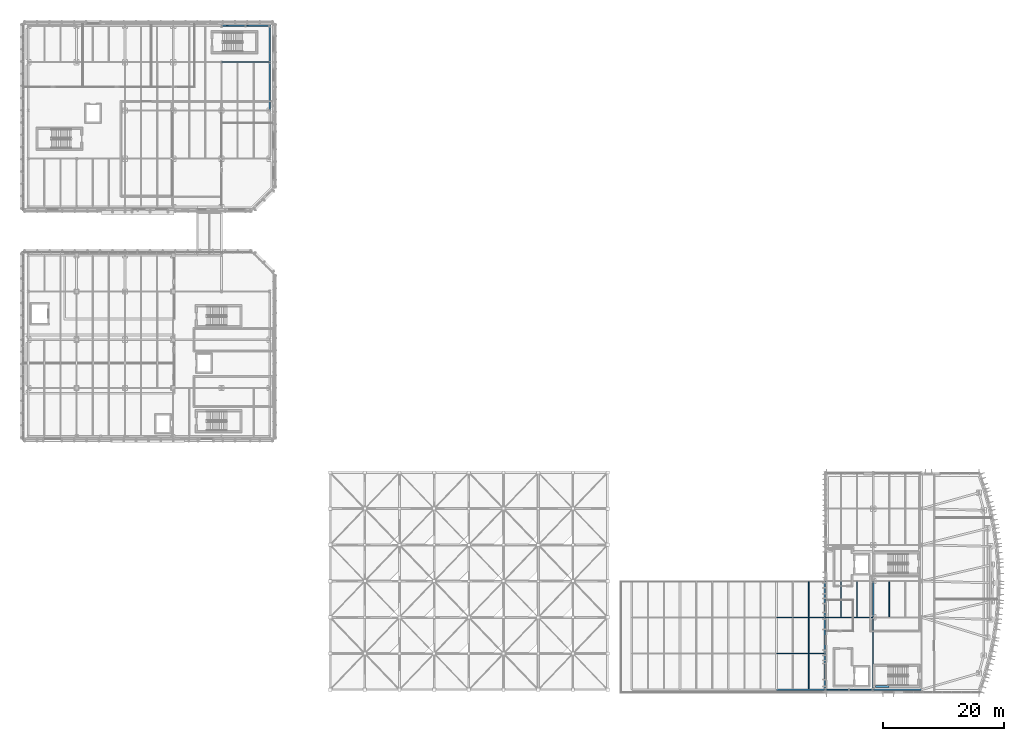
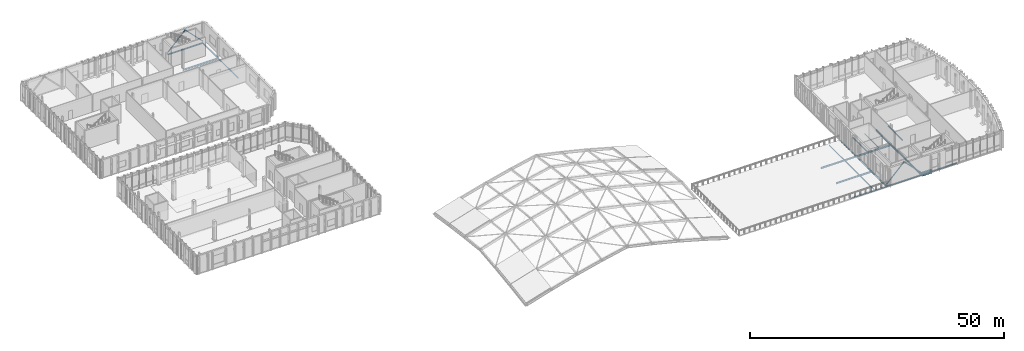
# One storey, part 24 of 62: 22 beams, 4 members.
"""IFC4 building model written with IfcOpenShell, lengths in metres."""

import ifcopenshell
import ifcopenshell.guid

model = None  # the IFC model being written
_history = None  # IfcOwnerHistory: only IFC2X3 demands one
_inside = {}  # id of a spatial element -> (the spatial element, [elements in it])
_under = {}  # id of a project, library or spatial element -> (it, [spatial elements below it])
_declared = {}  # id of a project -> (the project, [libraries it declares])
_typed = {}  # id of a type object -> (the type object, [elements of that type])
_made_of = {}  # id of a material, layer set ... -> (it, [elements and type objects made of it])


def new_model(schema):
    """Start an empty IFC model of exactly this schema.

    Asked for "IFC4X3", IfcOpenShell would pick the latest addendum, in which some entities
    have other attributes; the version numbers below select the first issue.
    IFC2X3 requires an IfcOwnerHistory on every rooted entity: one is made here for all.
    """
    global model, _history
    if schema == "IFC4X3":
        model = ifcopenshell.file(schema_version=(4, 3, 0, 0))
    else:
        model = ifcopenshell.file(schema=schema)
    _inside.clear()
    _under.clear()
    _declared.clear()
    _typed.clear()
    _made_of.clear()
    _history = None
    if model.schema == "IFC2X3":
        org = make("IfcOrganization", Name="unknown")
        user = make(
            "IfcPersonAndOrganization",
            ThePerson=make("IfcPerson", FamilyName="unknown"),
            TheOrganization=org,
        )
        app = make(
            "IfcApplication",
            ApplicationDeveloper=org,
            Version="unknown",
            ApplicationFullName="unknown",
            ApplicationIdentifier="unknown",
        )
        _history = make(
            "IfcOwnerHistory",
            OwningUser=user,
            OwningApplication=app,
            ChangeAction="ADDED",
            CreationDate=0,
        )
    return model


def make(cls, **values):
    """One entity of the class cls with the attributes given. An attribute that is None is left unset."""
    return model.create_entity(
        cls, **{name: value for name, value in values.items() if value is not None}
    )


def rooted(cls, **values):
    """An entity with a GlobalId (a new one), such as an element, a storey or a relation."""
    return make(cls, GlobalId=ifcopenshell.guid.new(), OwnerHistory=_history, **values)


def si_unit(unit_type, name, prefix=None):
    """IfcSIUnit, for example si_unit("LENGTHUNIT", "METRE", prefix="MILLI")."""
    return make("IfcSIUnit", UnitType=unit_type, Prefix=prefix, Name=name)


def assignment(units):
    """IfcUnitAssignment: the units of a project."""
    return None if units is None else make("IfcUnitAssignment", Units=units)


def point(xyz):
    """IfcCartesianPoint."""
    return None if xyz is None else make("IfcCartesianPoint", Coordinates=xyz)


def direction(xyz):
    """IfcDirection."""
    return None if xyz is None else make("IfcDirection", DirectionRatios=xyz)


def frame(location, z_axis=None, x_axis=None):
    """IfcAxis2Placement3D, a coordinate frame: its origin and axes. An axis left out is left unset."""
    return make(
        "IfcAxis2Placement3D",
        Location=point(location),
        Axis=direction(z_axis),
        RefDirection=direction(x_axis),
    )


def frame_2d(location, x_axis=None):
    """IfcAxis2Placement2D, a coordinate frame in the plane: its origin and x axis."""
    return make(
        "IfcAxis2Placement2D", Location=point(location), RefDirection=direction(x_axis)
    )


def origin():
    """The frame at (0, 0, 0) with its axes left unset."""
    return frame((0.0, 0.0, 0.0))


def origin_2d():
    """The frame at (0, 0) in the plane with its x axis left unset."""
    return frame_2d((0.0, 0.0))


def place(relative_to, where):
    """IfcLocalPlacement: puts the frame where relative to a parent placement (None: the world)."""
    return make(
        "IfcLocalPlacement", PlacementRelTo=relative_to, RelativePlacement=where
    )


def context(
    kind, dimensions, precision=None, world=None, true_north=None, identifier=None
):
    """IfcGeometricRepresentationContext, for example the 3D "Model" context."""
    return make(
        "IfcGeometricRepresentationContext",
        ContextIdentifier=identifier,
        ContextType=kind,
        CoordinateSpaceDimension=dimensions,
        Precision=precision,
        WorldCoordinateSystem=world,
        TrueNorth=true_north,
    )


def subcontext(parent, identifier, kind, view, scale=None):
    """IfcGeometricRepresentationSubContext, for example "Body" below "Model"."""
    return make(
        "IfcGeometricRepresentationSubContext",
        ContextIdentifier=identifier,
        ContextType=kind,
        ParentContext=parent,
        TargetScale=scale,
        TargetView=view,
    )


def project(units=None, contexts=None):
    """IfcProject with its units and contexts."""
    return rooted(
        "IfcProject",
        Name="project",
        RepresentationContexts=contexts,
        UnitsInContext=assignment(units),
    )


def spatial(cls, under=None, at=None, **own):
    """A site, building, storey or space (cls), placed at a placement, below another one or the project."""
    s = rooted(cls, ObjectPlacement=at, **own)
    if under is not None:
        _under.setdefault(under.id(), (under, []))[1].append(s)
    return s


def profile(cls, at=None, kind="AREA", **sizes):
    """A parametric profile (cls). Its sizes go by their IFC names, for example OverallWidth=200.0."""
    return make(cls, ProfileType=kind, Position=at, **sizes)


def rectangle(**sizes):
    """IfcRectangleProfileDef."""
    return profile("IfcRectangleProfileDef", **sizes)


def hollow_rectangle(**sizes):
    """IfcRectangleHollowProfileDef."""
    return profile("IfcRectangleHollowProfileDef", **sizes)


def hollow_circle(**sizes):
    """IfcCircleHollowProfileDef."""
    return profile("IfcCircleHollowProfileDef", **sizes)


def i_section(**sizes):
    """IfcIShapeProfileDef."""
    return profile("IfcIShapeProfileDef", **sizes)


def extrude(swept, where, along, depth):
    """IfcExtrudedAreaSolid: the profile swept, set in the frame where, extruded along a direction by depth."""
    return make(
        "IfcExtrudedAreaSolid",
        SweptArea=swept,
        Position=where,
        ExtrudedDirection=direction(along),
        Depth=depth,
    )


def shape(context_of_items, identifier, shape_type, items):
    """IfcShapeRepresentation: the items that make up one representation, for example the "Body"."""
    return make(
        "IfcShapeRepresentation",
        ContextOfItems=context_of_items,
        RepresentationIdentifier=identifier,
        RepresentationType=shape_type,
        Items=items,
    )


def material(Name=None, Category=None):
    """IfcMaterial."""
    return make("IfcMaterial", Name=Name, Category=Category)


def material_profile(
    of_material, cross_section, Name=None, Category=None, Priority=None
):
    """IfcMaterialProfile: a cross section and its material."""
    return make(
        "IfcMaterialProfile",
        Name=Name,
        Material=of_material,
        Profile=cross_section,
        Priority=Priority,
        Category=Category,
    )


def profile_set(profiles, Name=None, composite=None):
    """IfcMaterialProfileSet."""
    return make(
        "IfcMaterialProfileSet",
        Name=Name,
        MaterialProfiles=profiles,
        CompositeProfile=composite,
    )


def made_of(thing, what):
    """Note that an element or type object is made of a material, layer set ...; save() writes the relation."""
    if what is not None:
        _made_of.setdefault(what.id(), (what, []))[1].append(thing)
    return thing


def type_object(cls, material=None, **own):
    """A type object (cls), such as IfcWallType, which elements share."""
    return made_of(rooted(cls, **own), material)


def element(
    cls,
    number,
    at=None,
    inside=None,
    cuts=None,
    type_object=None,
    material=None,
    context=None,
    identifier="Body",
    shape_type=None,
    held_by="IfcProductDefinitionShape",
    body=None,
    shapes=None,
    **own,
):
    """One element of the class cls, such as IfcWall. Its Tag is "e" and its number.

    at: its placement. inside: the storey or other place that contains it. cuts: it is an
    opening in that element (IfcRelVoidsElement). A single representation is given by context,
    identifier, shape_type and body (its items); several are given by shapes. held_by: the class
    of the entity that holds the representations. save() writes the other relations.
    """
    e = rooted(cls, Tag="e%d" % number, ObjectPlacement=at, **own)
    if body is not None:
        shapes = [shape(context, identifier, shape_type, body)]
    if shapes is not None:
        e.Representation = make(held_by, Representations=shapes)
    if inside is not None:
        _inside.setdefault(inside.id(), (inside, []))[1].append(e)
    if cuts is not None:
        rooted(
            "IfcRelVoidsElement", RelatingBuildingElement=cuts, RelatedOpeningElement=e
        )
    if type_object is not None:
        _typed.setdefault(type_object.id(), (type_object, []))[1].append(e)
    return made_of(e, material)


def aggregate(whole, parts):
    """IfcRelAggregates: a whole, such as a stair, and the parts it consists of."""
    return rooted("IfcRelAggregates", RelatingObject=whole, RelatedObjects=parts)


def save(model, path):
    """Write the relations noted so far, then the file.

    IfcRelAggregates (storeys below a building ...), IfcRelContainedInSpatialStructure (elements
    in a storey), IfcRelDefinesByType, IfcRelAssociatesMaterial and IfcRelDeclares: one each for
    every whole, place, type object, material and project.
    """
    for whole, parts in _under.values():
        aggregate(whole, parts)
    for where, things in _inside.values():
        rooted(
            "IfcRelContainedInSpatialStructure",
            RelatedElements=things,
            RelatingStructure=where,
        )
    for kind, things in _typed.values():
        rooted("IfcRelDefinesByType", RelatedObjects=things, RelatingType=kind)
    for what, things in _made_of.values():
        rooted("IfcRelAssociatesMaterial", RelatedObjects=things, RelatingMaterial=what)
    for by, libraries in _declared.values():
        rooted("IfcRelDeclares", RelatingContext=by, RelatedDefinitions=libraries)
    model.write(path)


model = new_model("IFC4")

# Units and contexts
model_context = context("Model", 3, precision=1e-05, world=origin(), true_north=direction((0.0, 1.0)))
body_context = subcontext(model_context, "Body", "Model", "MODEL_VIEW")
ifc_project = project(units=[si_unit("LENGTHUNIT", "METRE"), si_unit("AREAUNIT", "SQUARE_METRE"), si_unit("VOLUMEUNIT", "CUBIC_METRE"), si_unit("PLANEANGLEUNIT", "RADIAN"), si_unit("MASSUNIT", "GRAM", prefix="KILO")], contexts=[model_context])

# Site, building, storey
site_placement = place(None, origin())
site = spatial("IfcSite", under=ifc_project, at=site_placement, CompositionType="ELEMENT")
building_placement = place(site_placement, origin())
building = spatial("IfcBuilding", under=site, at=building_placement, Name="Cymarion Research Institute", CompositionType="ELEMENT")
storey_placement = place(building_placement, frame((0.0, 0.0, 18.300048828125)))
storey = spatial("IfcBuildingStorey", under=building, at=storey_placement, Name="L04", CompositionType="ELEMENT", Elevation=18.300048828125)

# Beams
ifc_material_1 = material(Name="Concrete C40/50", Category="concrete")
ifc_material_profile_1 = material_profile(ifc_material_1, rectangle(XDim=0.35009765625, YDim=0.85009765625, at=origin_2d()), Name="RC 350x850")
ifc_profile_set_1 = profile_set([ifc_material_profile_1], Name="Concrete C40/50")
beam_type_1 = type_object("IfcBeamType", Name="COUPLING LINTEL LN02 RC 350x850", PredefinedType="LINTEL", material=ifc_profile_set_1)
beam_1_placement = place(storey_placement, frame((147.0, 6.050048828125, -0.695068359375), z_axis=(1.0, 0.0, 0.0), x_axis=(0.0, 1.0, 0.0)))
element("IfcBeam", 1, at=beam_1_placement, inside=storey, type_object=beam_type_1, Name="L04 C1 core coupling lintel LN02", PredefinedType="LINTEL", context=body_context, shape_type="SweptSolid", body=[
    extrude(rectangle(XDim=0.35009765625, YDim=0.85009765625, at=origin_2d()), origin(), (0.0, 0.0, 1.0), 2.199951171875),
])
ifc_material_2 = material(Name="Steel S355", Category="steel")
ifc_material_profile_2 = material_profile(ifc_material_2, i_section(OverallWidth=0.179931640625, OverallDepth=0.39990234375, WebThickness=0.008544921875, FlangeThickness=0.013427734375, FilletRadius=0.02099609375, at=origin_2d()), Name="IPE 400")
ifc_profile_set_2 = profile_set([ifc_material_profile_2], Name="Steel S355")
beam_type_2 = type_object("IfcBeamType", Name="PRIMARY GIRDER BM05 IPE 400", PredefinedType="BEAM", material=ifc_profile_set_2)
for number, where, z_axis, x_axis, name in (
    (2, (130.60595703125, 11.5, -0.4599609375), (1.0, 0.0, 0.0), (0.0, 1.0, 0.0), "L04 V1 girder BM05 #1601"),
    (3, (130.60595703125, 17.5, -0.4599609375), (1.0, 0.0, 0.0), (0.0, 1.0, 0.0), "L04 V1 girder BM05 #1605"),
    (4, (138.60595703125, 17.5, -0.449951171875), (1.0, 0.0, 0.0), (0.0, 1.0, 0.0), "L04 V1 girder BM05 #1606"),
):
    element("IfcBeam", number, at=place(storey_placement, frame(where, z_axis=z_axis, x_axis=x_axis)), inside=storey, type_object=beam_type_2, Name=name, PredefinedType="BEAM", context=body_context, shape_type="SweptSolid", body=[
        extrude(i_section(OverallWidth=0.179931640625, OverallDepth=0.39990234375, WebThickness=0.008544921875, FlangeThickness=0.013427734375, FilletRadius=0.02099609375, at=origin_2d()), origin(), (0.0, 0.0, 1.0), 7.988037109375),
    ])
beam_2_placement = place(storey_placement, frame((146.60009765625, 5.506103515625, -0.449951171875), z_axis=(0.0, 1.0, 0.0), x_axis=(-1.0, 0.0, 0.0)))
element("IfcBeam", 5, at=beam_2_placement, inside=storey, type_object=beam_type_2, Name="L04 V1 girder BM05 #1638", PredefinedType="BEAM", context=body_context, shape_type="SweptSolid", body=[
    extrude(i_section(OverallWidth=0.179931640625, OverallDepth=0.39990234375, WebThickness=0.008544921875, FlangeThickness=0.013427734375, FilletRadius=0.02099609375, at=origin_2d()), origin(), (0.0, 0.0, 1.0), 11.98779296875),
])
beam_3_placement = place(storey_placement, frame((38.60595703125, 109.5, -0.449951171875), z_axis=(1.0, 0.0, 0.0), x_axis=(0.0, 1.0, 0.0)))
element("IfcBeam", 6, at=beam_3_placement, inside=storey, type_object=beam_type_2, Name="L04 V5 girder BM05 #1791", PredefinedType="BEAM", context=body_context, shape_type="SweptSolid", body=[
    extrude(i_section(OverallWidth=0.179931640625, OverallDepth=0.39990234375, WebThickness=0.008544921875, FlangeThickness=0.013427734375, FilletRadius=0.02099609375, at=origin_2d()), origin(), (0.0, 0.0, 1.0), 7.988037109375),
])
ifc_material_profile_3 = material_profile(ifc_material_2, i_section(OverallWidth=0.300048828125, OverallDepth=0.35009765625, WebThickness=0.010009765625, FlangeThickness=0.017578125, FilletRadius=0.027099609375, at=origin_2d()), Name="HEA 360")
ifc_profile_set_3 = profile_set([ifc_material_profile_3], Name="Steel S355")
beam_type_3 = type_object("IfcBeamType", Name="PRIMARY GIRDER BM12 HEA 360", PredefinedType="BEAM", material=ifc_profile_set_3)
beam_4_placement = place(storey_placement, frame((146.60009765625, 17.506103515625, -0.425048828125), z_axis=(0.0, 1.0, 0.0), x_axis=(-1.0, 0.0, 0.0)))
element("IfcBeam", 7, at=beam_4_placement, inside=storey, type_object=beam_type_3, Name="L04 V1 girder BM12 #1639", PredefinedType="BEAM", context=body_context, shape_type="SweptSolid", body=[
    extrude(i_section(OverallWidth=0.300048828125, OverallDepth=0.35009765625, WebThickness=0.010009765625, FlangeThickness=0.017578125, FilletRadius=0.027099609375, at=origin_2d()), origin(), (0.0, 0.0, 1.0), 5.98779296875),
])
ifc_material_profile_4 = material_profile(ifc_material_2, i_section(OverallWidth=0.1201171875, OverallDepth=0.239990234375, WebThickness=0.006103515625, FlangeThickness=0.009765625, FilletRadius=0.014892578125, at=origin_2d()), Name="IPE 240")
ifc_profile_set_4 = profile_set([ifc_material_profile_4], Name="Steel S355")
beam_type_4 = type_object("IfcBeamType", Name="SECONDARY JOIST JS04 IPE 240", PredefinedType="JOIST", material=ifc_profile_set_4)
beam_5_placement = place(storey_placement, frame((135.933349609375, 5.6240234375, -0.380126953125), z_axis=(0.0, 1.0, 0.0), x_axis=(-1.0, 0.0, 0.0)))
element("IfcBeam", 8, at=beam_5_placement, inside=storey, type_object=beam_type_4, Name="L04 V1 secondary joist JS04 #1672", PredefinedType="JOIST", context=body_context, shape_type="SweptSolid", body=[
    extrude(i_section(OverallWidth=0.1201171875, OverallDepth=0.239990234375, WebThickness=0.006103515625, FlangeThickness=0.009765625, FilletRadius=0.014892578125, at=origin_2d()), origin(), (0.0, 0.0, 1.0), 5.781982421875),
])
for number, where, z_axis, x_axis, name in (
    (9, (135.933349609375, 11.593994140625, -0.380126953125), (0.0, 1.0, 0.0), (-1.0, 0.0, 0.0), "L04 V1 secondary joist JS04 #1680"),
    (10, (135.933349609375, 17.593994140625, -0.380126953125), (0.0, 1.0, 0.0), (-1.0, 0.0, 0.0), "L04 V1 secondary joist JS04 #1688"),
    (11, (141.2666015625, 17.593994140625, -0.3701171875), (0.0, 1.0, 0.0), (-1.0, 0.0, 0.0), "L04 V1 secondary joist JS04 #1689"),
    (12, (143.933349609375, 17.593994140625, -0.3701171875), (0.0, 1.0, 0.0), (-1.0, 0.0, 0.0), "L04 V1 secondary joist JS04 #1690"),
    (13, (149.2666015625, 17.593994140625, -0.3701171875), (0.0, 1.0, 0.0), (-1.0, 0.0, 0.0), "L04 V1 secondary joist JS04 #1691"),
):
    element("IfcBeam", number, at=place(storey_placement, frame(where, z_axis=z_axis, x_axis=x_axis)), inside=storey, type_object=beam_type_4, Name=name, PredefinedType="JOIST", context=body_context, shape_type="SweptSolid", body=[
        extrude(i_section(OverallWidth=0.1201171875, OverallDepth=0.239990234375, WebThickness=0.006103515625, FlangeThickness=0.009765625, FilletRadius=0.014892578125, at=origin_2d()), origin(), (0.0, 0.0, 1.0), 5.81201171875),
    ])
ifc_material_profile_5 = material_profile(ifc_material_2, i_section(OverallWidth=0.239990234375, OverallDepth=0.22998046875, WebThickness=0.007568359375, FlangeThickness=0.011962890625, FilletRadius=0.02099609375, at=origin_2d()), Name="HEA 240")
ifc_profile_set_5 = profile_set([ifc_material_profile_5], Name="Steel S355")
beam_type_5 = type_object("IfcBeamType", Name="SPANDREL BEAM SPB03 HEA 240", PredefinedType="SPANDREL", material=ifc_profile_set_5)
for number, where, z_axis, x_axis, name in (
    (14, (130.60595703125, 5.5, -0.375), (1.0, 0.0, 0.0), (0.0, 1.0, 0.0), "L04 V1 girder SPB03 #1595"),
    (15, (138.60595703125, 5.5, -0.364990234375), (1.0, 0.0, 0.0), (0.0, 1.0, 0.0), "L04 V1 girder SPB03 #1596"),
    (16, (146.60595703125, 5.5, -0.364990234375), (1.0, 0.0, 0.0), (0.0, 1.0, 0.0), "L04 V1 girder SPB03 #1597"),
):
    element("IfcBeam", number, at=place(storey_placement, frame(where, z_axis=z_axis, x_axis=x_axis)), inside=storey, type_object=beam_type_5, Name=name, PredefinedType="SPANDREL", context=body_context, shape_type="SweptSolid", body=[
        extrude(i_section(OverallWidth=0.239990234375, OverallDepth=0.22998046875, WebThickness=0.007568359375, FlangeThickness=0.011962890625, FilletRadius=0.02099609375, at=origin_2d()), origin(), (0.0, 0.0, 1.0), 7.988037109375),
    ])
for number, where, z_axis, x_axis, name in (
    (17, (138.60009765625, 5.506103515625, -0.375), (0.0, 1.0, 0.0), (-1.0, 0.0, 0.0), "L04 V1 girder SPB03 #1632"),
    (18, (138.60009765625, 11.506103515625, -0.375), (0.0, 1.0, 0.0), (-1.0, 0.0, 0.0), "L04 V1 girder SPB03 #1633"),
    (19, (138.60009765625, 17.506103515625, -0.375), (0.0, 1.0, 0.0), (-1.0, 0.0, 0.0), "L04 V1 girder SPB03 #1634"),
):
    element("IfcBeam", number, at=place(storey_placement, frame(where, z_axis=z_axis, x_axis=x_axis)), inside=storey, type_object=beam_type_5, Name=name, PredefinedType="SPANDREL", context=body_context, shape_type="SweptSolid", body=[
        extrude(i_section(OverallWidth=0.239990234375, OverallDepth=0.22998046875, WebThickness=0.007568359375, FlangeThickness=0.011962890625, FilletRadius=0.02099609375, at=origin_2d()), origin(), (0.0, 0.0, 1.0), 5.98779296875),
    ])
beam_6_placement = place(storey_placement, frame((38.60595703125, 115.5, -0.364990234375), z_axis=(1.0, 0.0, 0.0), x_axis=(0.0, 1.0, 0.0)))
element("IfcBeam", 20, at=beam_6_placement, inside=storey, type_object=beam_type_5, Name="L04 V5 girder SPB03 #1796", PredefinedType="SPANDREL", context=body_context, shape_type="SweptSolid", body=[
    extrude(i_section(OverallWidth=0.239990234375, OverallDepth=0.22998046875, WebThickness=0.007568359375, FlangeThickness=0.011962890625, FilletRadius=0.02099609375, at=origin_2d()), origin(), (0.0, 0.0, 1.0), 7.988037109375),
])
beam_7_placement = place(storey_placement, frame((46.60009765625, 109.506103515625, -0.364990234375), z_axis=(0.0, 1.0, 0.0), x_axis=(-1.0, 0.0, 0.0)))
element("IfcBeam", 21, at=beam_7_placement, inside=storey, type_object=beam_type_5, Name="L04 V5 girder SPB03 #1816", PredefinedType="SPANDREL", context=body_context, shape_type="SweptSolid", body=[
    extrude(i_section(OverallWidth=0.239990234375, OverallDepth=0.22998046875, WebThickness=0.007568359375, FlangeThickness=0.011962890625, FilletRadius=0.02099609375, at=origin_2d()), origin(), (0.0, 0.0, 1.0), 5.98779296875),
])
ifc_material_profile_6 = material_profile(ifc_material_2, i_section(OverallWidth=0.199951171875, OverallDepth=0.18994140625, WebThickness=0.006591796875, FlangeThickness=0.010009765625, FilletRadius=0.01806640625, at=origin_2d()), Name="HEA 200")
ifc_profile_set_6 = profile_set([ifc_material_profile_6], Name="Steel S355")
beam_type_6 = type_object("IfcBeamType", Name="SPANDREL BEAM SPB04 HEA 200", PredefinedType="SPANDREL", material=ifc_profile_set_6)
beam_8_placement = place(storey_placement, frame((46.60009765625, 101.506103515625, -0.344970703125), z_axis=(0.0, 1.0, 0.0), x_axis=(-1.0, 0.0, 0.0)))
element("IfcBeam", 22, at=beam_8_placement, inside=storey, type_object=beam_type_6, Name="L04 V5 girder SPB04 #1815", PredefinedType="SPANDREL", context=body_context, shape_type="SweptSolid", body=[
    extrude(i_section(OverallWidth=0.199951171875, OverallDepth=0.18994140625, WebThickness=0.006591796875, FlangeThickness=0.010009765625, FilletRadius=0.01806640625, at=origin_2d()), origin(), (0.0, 0.0, 1.0), 7.98779296875),
])

# Members
ifc_material_profile_7 = material_profile(ifc_material_2, hollow_circle(Radius=0.122314453125, WallThickness=0.012451171875, at=origin_2d()), Name="CHS 244.5x12.5")
ifc_profile_set_7 = profile_set([ifc_material_profile_7], Name="Steel S355")
member_type_1 = type_object("IfcMemberType", Name="STRUCTURAL MEMBER BR03 CHS 244.5x12.5", PredefinedType="BRACE", material=ifc_profile_set_7)
member_1_placement = place(storey_placement, frame((138.614013671875, 5.5, 0.119873046875), z_axis=(0.703471787466, 0.0, 0.710723183975), x_axis=(0.0, 1.0, 0.0)))
element("IfcMember", 23, at=member_1_placement, inside=storey, type_object=member_type_1, Name="L04 V1 seismic chevron brace BR03 #1", PredefinedType="BRACE", context=body_context, shape_type="SweptSolid", body=[
    extrude(hollow_circle(Radius=0.122314453125, WallThickness=0.012451171875, at=origin_2d()), origin(), (0.0, 0.0, 1.0), 5.65625),
])
member_2_placement = place(storey_placement, frame((146.5859375, 5.5, 0.119873046875), z_axis=(-0.70344998362, 0.0, 0.710744764698), x_axis=(0.0, -1.0, 0.0)))
element("IfcMember", 24, at=member_2_placement, inside=storey, type_object=member_type_1, Name="L04 V1 seismic chevron brace BR03 #2", PredefinedType="BRACE", context=body_context, shape_type="SweptSolid", body=[
    extrude(hollow_circle(Radius=0.122314453125, WallThickness=0.012451171875, at=origin_2d()), origin(), (0.0, 0.0, 1.0), 5.656005859375),
])
ifc_material_profile_8 = material_profile(ifc_material_2, hollow_rectangle(XDim=0.179931640625, YDim=0.179931640625, WallThickness=0.010009765625, InnerFilletRadius=0.014892578125, OuterFilletRadius=0.02490234375, at=origin_2d()), Name="SHS 180x180x10")
ifc_profile_set_8 = profile_set([ifc_material_profile_8], Name="Steel S355")
member_type_2 = type_object("IfcMemberType", Name="STRUCTURAL MEMBER BR08 SHS 180x180x10", PredefinedType="BRACE", material=ifc_profile_set_8)
member_3_placement = place(storey_placement, frame((38.614013671875, 115.5, 0.119873046875), z_axis=(0.703471787466, 0.0, 0.710723183975), x_axis=(0.0, 1.0, 0.0)))
element("IfcMember", 25, at=member_3_placement, inside=storey, type_object=member_type_2, Name="L04 V5 seismic chevron brace BR08 #1", PredefinedType="BRACE", context=body_context, shape_type="SweptSolid", body=[
    extrude(hollow_rectangle(XDim=0.179931640625, YDim=0.179931640625, WallThickness=0.010009765625, InnerFilletRadius=0.014892578125, OuterFilletRadius=0.02490234375, at=origin_2d()), origin(), (0.0, 0.0, 1.0), 5.65625),
])
member_4_placement = place(storey_placement, frame((46.5859375, 115.5, 0.119873046875), z_axis=(-0.70344998362, 0.0, 0.710744764698), x_axis=(0.0, -1.0, 0.0)))
element("IfcMember", 26, at=member_4_placement, inside=storey, type_object=member_type_2, Name="L04 V5 seismic chevron brace BR08 #2", PredefinedType="BRACE", context=body_context, shape_type="SweptSolid", body=[
    extrude(hollow_rectangle(XDim=0.179931640625, YDim=0.179931640625, WallThickness=0.010009765625, InnerFilletRadius=0.014892578125, OuterFilletRadius=0.02490234375, at=origin_2d()), origin(), (0.0, 0.0, 1.0), 5.656005859375),
])

save(model, "model.ifc")
